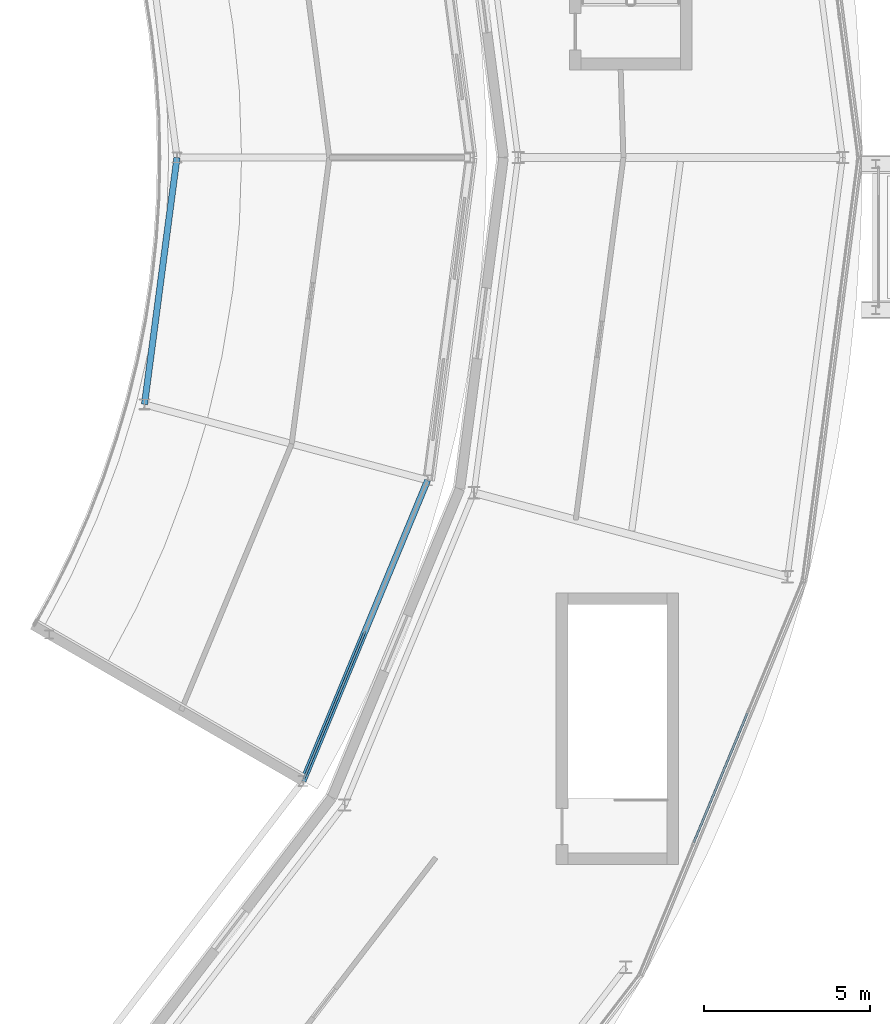
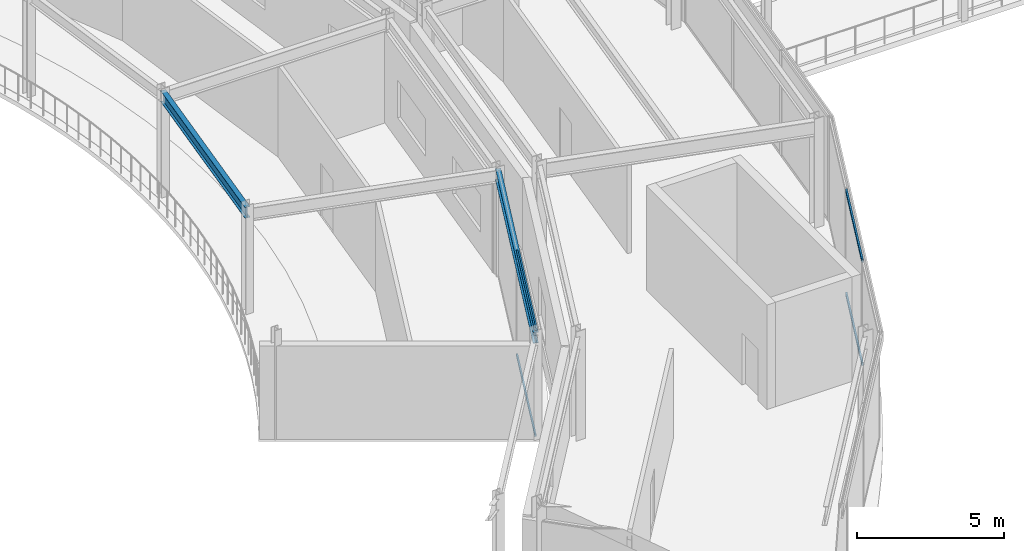
# One storey, part 45 of 157: 4 members, 2 beams, 2 elements without a shape of their own.
"""IFC4 building model written with IfcOpenShell, lengths in metres."""

from ifc_helpers import new_model, si_unit, direction, frame, origin, origin_2d, place, context, subcontext, project, spatial, hollow_rectangle, i_section, extrude, material, material_profile, profile_set, type_object, element, aggregate, save


model = new_model("IFC4")

# Units and contexts
model_context = context("Model", 3, precision=1e-05, world=origin(), true_north=direction((0.0, 1.0)))
body_context = subcontext(model_context, "Body", "Model", "MODEL_VIEW")
ifc_project = project(units=[si_unit("LENGTHUNIT", "METRE"), si_unit("AREAUNIT", "SQUARE_METRE"), si_unit("VOLUMEUNIT", "CUBIC_METRE"), si_unit("PLANEANGLEUNIT", "RADIAN"), si_unit("MASSUNIT", "GRAM", prefix="KILO")], contexts=[model_context])

# Site, building, storey
site_placement = place(None, origin())
site = spatial("IfcSite", under=ifc_project, at=site_placement, CompositionType="ELEMENT")
building_placement = place(site_placement, origin())
building = spatial("IfcBuilding", under=site, at=building_placement, Name="Almandine Court Research Institute", CompositionType="ELEMENT")
storey_placement = place(building_placement, frame((0.0, 0.0, 5.25)))
storey = spatial("IfcBuildingStorey", under=building, at=storey_placement, Name="L01", CompositionType="ELEMENT", Elevation=5.25)

# Beams
ifc_material_1 = material(Name="Steel ASTM A992 Grade 50", Category="steel")
ifc_material_profile_1 = material_profile(ifc_material_1, i_section(OverallWidth=0.18994140625, OverallDepth=0.45703125, WebThickness=0.009033203125, FlangeThickness=0.014892578125, at=origin_2d()), Name="W460x74")
ifc_profile_set_1 = profile_set([ifc_material_profile_1], Name="Steel ASTM A992 Grade 50")
beam_type = type_object("IfcBeamType", Name="Beam-B-01", PredefinedType="BEAM", material=ifc_profile_set_1)
beam_1_placement = place(storey_placement, frame((119.60595703125, 37.175048828125, 4.14111328125), z_axis=(0.382683080424, 0.92387967829, 0.0), x_axis=(-0.92387967829, 0.382683080424, 0.0)))
element("IfcBeam", 1, at=beam_1_placement, inside=storey, type_object=beam_type, Name="L01 Atrium Outer Ring Beam", PredefinedType="BEAM", context=body_context, shape_type="SweptSolid", body=[
    extrude(i_section(OverallWidth=0.18994140625, OverallDepth=0.45703125, WebThickness=0.009033203125, FlangeThickness=0.014892578125, at=origin_2d()), origin(), (0.0, 0.0, 1.0), 9.827880859375),
])
beam_2_placement = place(storey_placement, frame((114.819091796875, 48.5458984375, 4.14111328125), z_axis=(0.130474672489, 0.991451642713, 0.0), x_axis=(-0.991451642713, 0.130474672489, 0.0)))
element("IfcBeam", 2, at=beam_2_placement, inside=storey, type_object=beam_type, Name="L01 Atrium Gallery Edge Beam", PredefinedType="BEAM", context=body_context, shape_type="SweptSolid", body=[
    extrude(i_section(OverallWidth=0.18994140625, OverallDepth=0.45703125, WebThickness=0.009033203125, FlangeThickness=0.014892578125, at=origin_2d()), origin(), (0.0, 0.0, 1.0), 7.518310546875),
])

# Curtain wall, members
ifc_material_2 = material(Name="Unitised Curtain Wall Framing and Solar Glazing", Category="glass")
curtain_wall_type_1 = type_object("IfcCurtainWallType", Name="CW-CWG-24", PredefinedType="USERDEFINED", material=ifc_material_2)
curtain_wall_1_placement = place(storey_placement, origin())
curtain_wall_1 = element("IfcCurtainWall", 3, at=curtain_wall_1_placement, inside=storey, type_object=curtain_wall_type_1, Name="L01 Interaction Atrium Perimeter Curtain Wall 22", ObjectType="UNITISED GLAZING", PredefinedType="USERDEFINED")
ifc_material_3 = material(Name="Anodised Aluminium AW-6063-T6", Category="aluminium")
ifc_material_profile_2 = material_profile(ifc_material_3, hollow_rectangle(XDim=0.06005859375, YDim=0.110107421875, WallThickness=0.00390625, at=origin_2d()), Name="ALU RHS 60x110x4")
ifc_profile_set_2 = profile_set([ifc_material_profile_2], Name="Anodised Aluminium AW-6063-T6")
member_type_1 = type_object("IfcMemberType", Name="CWTrn-60x110", PredefinedType="NOTDEFINED", material=ifc_profile_set_2)
member_1_placement = place(storey_placement, frame((121.4755859375, 41.687255859375, 0.030029296875), z_axis=(-0.382661904477, -0.923888449361, 0.0), x_axis=(0.923888449361, -0.382661904477, 0.0)))
member_1 = element("IfcMember", 4, at=member_1_placement, type_object=member_type_1, Name="CWG-24 transom 2.1", ObjectType="TRANSOM", PredefinedType="USERDEFINED", context=body_context, shape_type="SweptSolid", body=[
    extrude(hollow_rectangle(XDim=0.06005859375, YDim=0.110107421875, WallThickness=0.00390625, at=origin_2d()), origin(), (0.0, 0.0, 1.0), 4.82080078125),
])
member_2_placement = place(storey_placement, frame((121.4755859375, 41.687255859375, 4.340087890625), z_axis=(-0.382661904477, -0.923888449361, 0.0), x_axis=(0.923888449361, -0.382661904477, 0.0)))
member_2 = element("IfcMember", 5, at=member_2_placement, type_object=member_type_1, Name="CWG-24 transom 2.2", ObjectType="TRANSOM", PredefinedType="USERDEFINED", context=body_context, shape_type="SweptSolid", body=[
    extrude(hollow_rectangle(XDim=0.06005859375, YDim=0.110107421875, WallThickness=0.00390625, at=origin_2d()), origin(), (0.0, 0.0, 1.0), 4.82080078125),
])
aggregate(curtain_wall_1, [member_1, member_2])

curtain_wall_type_2 = type_object("IfcCurtainWallType", Name="CW-CWJ-19", PredefinedType="USERDEFINED", material=ifc_material_2)
curtain_wall_2_placement = place(storey_placement, origin())
curtain_wall_2 = element("IfcCurtainWall", 6, at=curtain_wall_2_placement, inside=storey, type_object=curtain_wall_type_2, Name="L01 Stacked-Ring Drum Outer Solar Jali Screen 22", ObjectType="SOLAR JALI SCREEN", PredefinedType="USERDEFINED")
ifc_material_profile_3 = material_profile(ifc_material_3, hollow_rectangle(XDim=0.06494140625, YDim=0.1298828125, WallThickness=0.00390625, at=origin_2d()), Name="ALU RHS 65x130x4")
ifc_profile_set_3 = profile_set([ifc_material_profile_3], Name="Anodised Aluminium AW-6063-T6")
member_type_2 = type_object("IfcMemberType", Name="CWTrn-65x130", PredefinedType="NOTDEFINED", material=ifc_profile_set_3)
member_3_placement = place(storey_placement, frame((133.02197265625, 39.224853515625, 0.032470703125), z_axis=(-0.382703712437, -0.92387113197, 0.0), x_axis=(0.92387113197, -0.382703712437, 0.0)))
member_3 = element("IfcMember", 7, at=member_3_placement, type_object=member_type_2, Name="CWJ-19 transom 2.1", ObjectType="TRANSOM", PredefinedType="USERDEFINED", context=body_context, shape_type="SweptSolid", body=[
    extrude(hollow_rectangle(XDim=0.06494140625, YDim=0.1298828125, WallThickness=0.00390625, at=origin_2d()), origin(), (0.0, 0.0, 1.0), 4.2275390625),
])
member_4_placement = place(storey_placement, frame((133.02197265625, 39.224853515625, 4.33740234375), z_axis=(-0.382703712437, -0.92387113197, 0.0), x_axis=(0.92387113197, -0.382703712437, 0.0)))
member_4 = element("IfcMember", 8, at=member_4_placement, type_object=member_type_2, Name="CWJ-19 transom 2.2", ObjectType="TRANSOM", PredefinedType="USERDEFINED", context=body_context, shape_type="SweptSolid", body=[
    extrude(hollow_rectangle(XDim=0.06494140625, YDim=0.1298828125, WallThickness=0.00390625, at=origin_2d()), origin(), (0.0, 0.0, 1.0), 4.2275390625),
])
aggregate(curtain_wall_2, [member_3, member_4])

save(model, "model.ifc")
